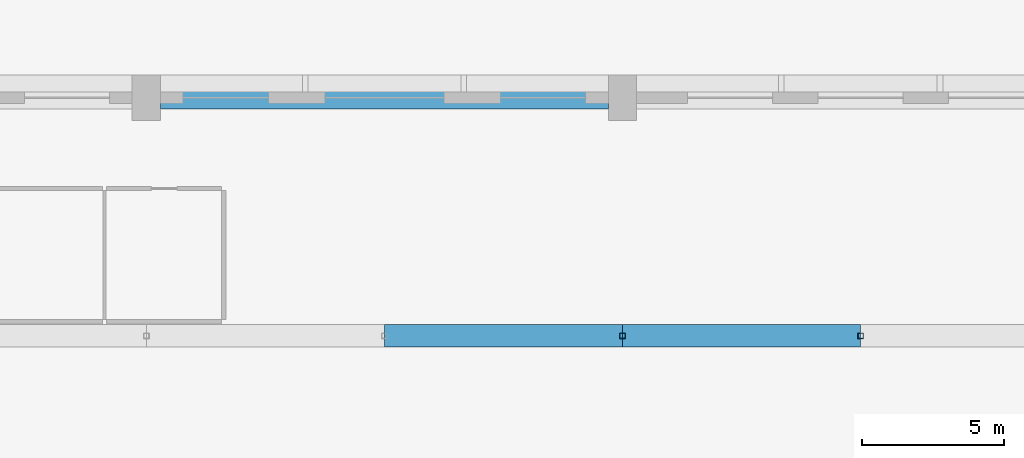
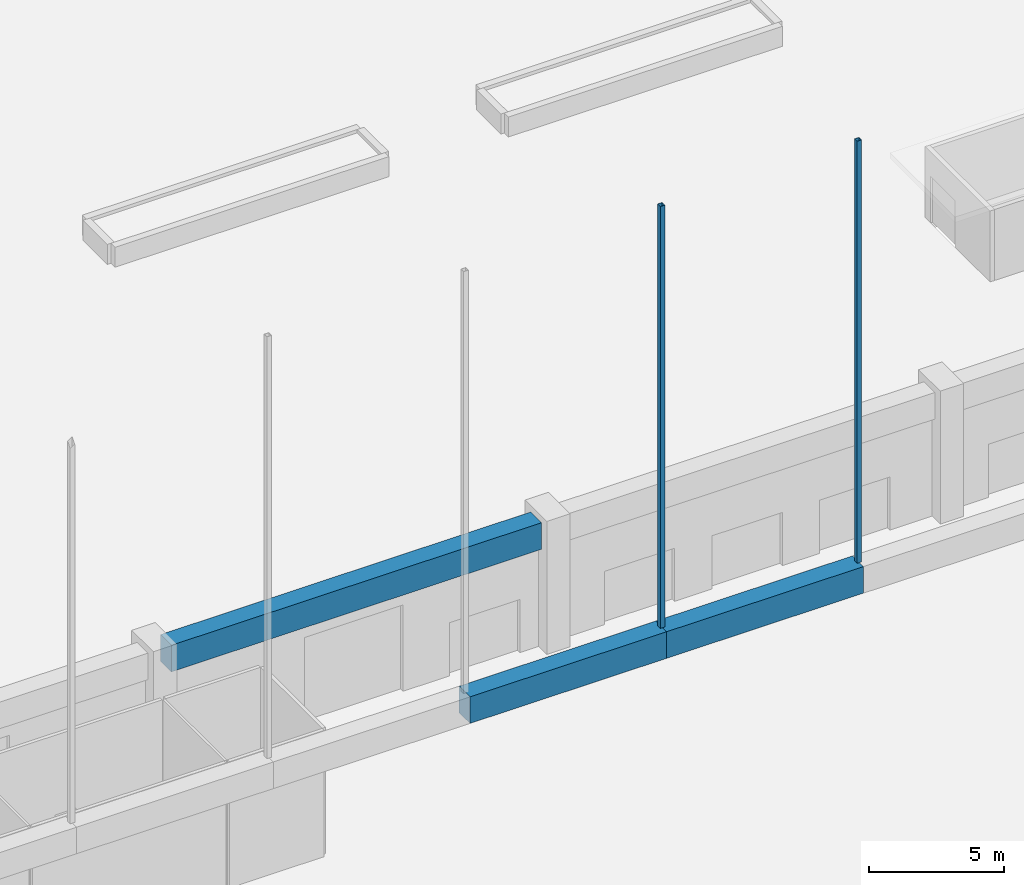
# One storey, part 69 of 210: 3 beams, 2 members.
"""IFC4 building model written with IfcOpenShell, lengths in metres."""

from ifc_helpers import new_model, si_unit, direction, frame, origin, origin_2d, place, context, subcontext, project, spatial, rectangle, hollow_rectangle, extrude, material, material_profile, profile_set, type_object, element, save


model = new_model("IFC4")

# Units and contexts
model_context = context("Model", 3, precision=1e-05, world=origin(), true_north=direction((0.0, 1.0)))
body_context = subcontext(model_context, "Body", "Model", "MODEL_VIEW")
ifc_project = project(units=[si_unit("LENGTHUNIT", "METRE"), si_unit("AREAUNIT", "SQUARE_METRE"), si_unit("VOLUMEUNIT", "CUBIC_METRE"), si_unit("PLANEANGLEUNIT", "RADIAN"), si_unit("MASSUNIT", "GRAM", prefix="KILO")], contexts=[model_context])

# Site, building, storey
site_placement = place(None, origin())
site = spatial("IfcSite", under=ifc_project, at=site_placement, CompositionType="ELEMENT")
building_placement = place(site_placement, origin())
building = spatial("IfcBuilding", under=site, at=building_placement, Name="Rain Tree Exposition and Congress Centre", CompositionType="ELEMENT")
storey_placement = place(building_placement, origin())
storey = spatial("IfcBuildingStorey", under=building, at=storey_placement, Name="L00", CompositionType="ELEMENT", Elevation=0.0)

# Beams
ifc_material_1 = material(Name="Precast concrete C50/60", Category="concrete")
ifc_material_profile_1 = material_profile(ifc_material_1, rectangle(XDim=0.800048828125, YDim=1.199951171875, at=origin_2d()), Name="RC 800x1200")
ifc_profile_set_1 = profile_set([ifc_material_profile_1], Name="Precast concrete C50/60")
beam_type = type_object("IfcBeamType", Name="Precast beam 800x1200", PredefinedType="BEAM", material=ifc_profile_set_1)
beam_placement = place(storey_placement, frame((193.699951171875, 201.60009765625, 5.10009765625), z_axis=(1.0, 0.0, 0.0), x_axis=(0.0, 1.0, 0.0)))
element("IfcBeam", 1, at=beam_placement, inside=storey, type_object=beam_type, Name="Gallery perimeter beam 10", PredefinedType="BEAM", context=body_context, shape_type="SweptSolid", body=[
    extrude(rectangle(XDim=0.800048828125, YDim=1.199951171875, at=origin_2d()), origin(), (0.0, 0.0, 1.0), 15.800048828125),
])
for number, where, z_axis, x_axis, name in (
    (2, (201.60009765625, 193.199951171875, 5.10009765625), (1.0, 0.0, 0.0), (0.0, 1.0, 0.0), "Gallery edge beam 26"),
    (3, (210.0, 193.199951171875, 5.10009765625), (1.0, 0.0, 0.0), (0.0, 1.0, 0.0), "Gallery edge beam 27"),
):
    element("IfcBeam", number, at=place(storey_placement, frame(where, z_axis=z_axis, x_axis=x_axis)), inside=storey, type_object=beam_type, Name=name, PredefinedType="BEAM", context=body_context, shape_type="SweptSolid", body=[
        extrude(rectangle(XDim=0.800048828125, YDim=1.199951171875, at=origin_2d()), origin(), (0.0, 0.0, 1.0), 8.39990234375),
    ])

# Members
ifc_material_2 = material(Name="Steel S355J2H", Category="steel")
ifc_material_profile_2 = material_profile(ifc_material_2, hollow_rectangle(XDim=0.199951171875, YDim=0.199951171875, WallThickness=0.009033203125, at=origin_2d()), Name="RHS 200x200x9")
ifc_profile_set_2 = profile_set([ifc_material_profile_2], Name="Steel S355J2H")
member_type = type_object("IfcMemberType", Name="Steel member member RHS 200x200x9", PredefinedType="MEMBER", material=ifc_profile_set_2)
for number, where, z_axis, x_axis, name in (
    (4, (210.0, 193.199951171875, 5.699951171875), (0.0, 0.0, 1.0), (1.0, 0.0, 0.0), "Gallery hanger 36"),
    (5, (218.39990234375, 193.199951171875, 5.699951171875), (0.0, 0.0, 1.0), (1.0, 0.0, 0.0), "Gallery hanger 37"),
):
    element("IfcMember", number, at=place(storey_placement, frame(where, z_axis=z_axis, x_axis=x_axis)), inside=storey, type_object=member_type, Name=name, PredefinedType="MEMBER", context=body_context, shape_type="SweptSolid", body=[
        extrude(hollow_rectangle(XDim=0.199951171875, YDim=0.199951171875, WallThickness=0.009033203125, at=origin_2d()), origin(), (0.0, 0.0, 1.0), 19.0439453125),
    ])

save(model, "model.ifc")
